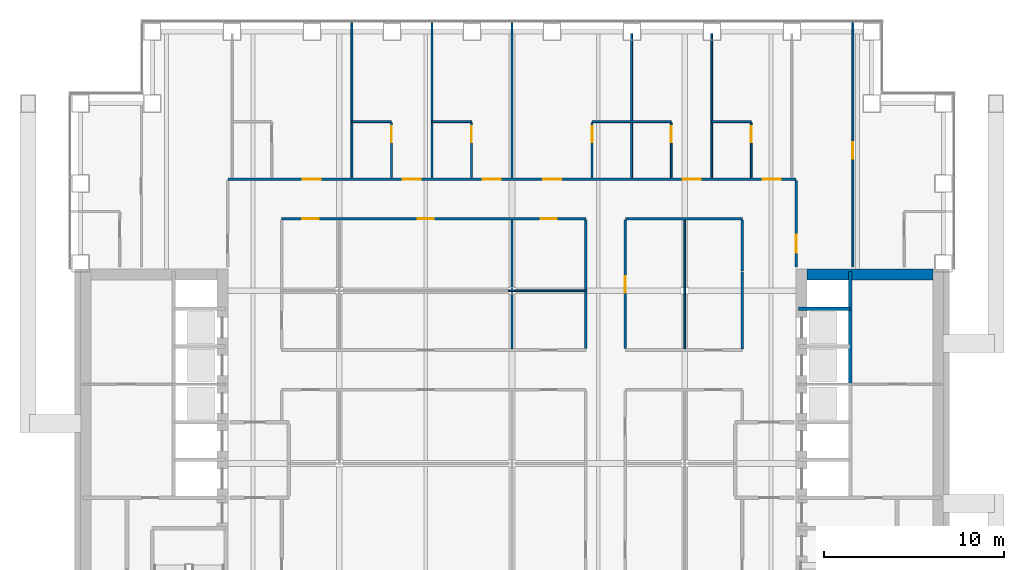
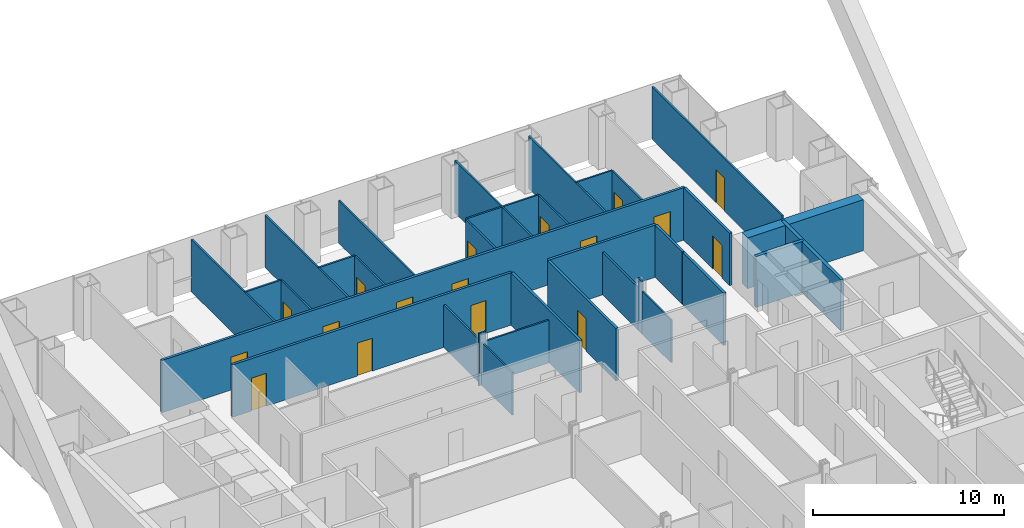
# One storey, part 20 of 23: 34 walls, 17 doors, 17 openings.
"""IFC4 building model written with IfcOpenShell, lengths in metres."""

from ifc_helpers import new_model, si_unit, direction, frame, frame_2d, origin, place, context, subcontext, project, spatial, rectangle, extrude, material, layer, layer_set, type_object, element, fill, save


model = new_model("IFC4")

# Units and contexts
model_context = context("Model", 3, precision=1e-05, world=origin(), true_north=direction((0.0, 1.0)))
body_context = subcontext(model_context, "Body", "Model", "MODEL_VIEW")
ifc_project = project(units=[si_unit("LENGTHUNIT", "METRE"), si_unit("AREAUNIT", "SQUARE_METRE"), si_unit("VOLUMEUNIT", "CUBIC_METRE"), si_unit("PLANEANGLEUNIT", "RADIAN"), si_unit("MASSUNIT", "GRAM", prefix="KILO")], contexts=[model_context])

# Site, building, storey
site_placement = place(None, origin())
site = spatial("IfcSite", under=ifc_project, at=site_placement, CompositionType="ELEMENT")
building_placement = place(site_placement, origin())
building = spatial("IfcBuilding", under=site, at=building_placement, Name="Cobrizo Arcos Hotel Tower", CompositionType="ELEMENT")
storey_placement = place(building_placement, frame((0.0, 0.0, 56.5)))
storey = spatial("IfcBuildingStorey", under=building, at=storey_placement, Name="L12", CompositionType="ELEMENT", Elevation=56.5)

# Wall, openings, doors
ifc_material_1 = material(Name="Gypsum board partition")
ifc_layer_1 = layer(ifc_material_1, 0.14990234375)
ifc_layer_set_1 = layer_set([ifc_layer_1], Name="Corridor wall EI 60 150")
wall_type_1 = type_object("IfcWallType", Name="Corridor wall EI 60 150", PredefinedType="PARTITIONING", material=ifc_layer_set_1)
wall_1_placement = place(storey_placement, frame((-12.800048828125, 13.60009765625, 0.0), z_axis=(0.0, 0.0, 1.0), x_axis=(1.0, 0.0, 0.0)))
wall_1 = element("IfcWall", 1, at=wall_1_placement, inside=storey, type_object=wall_type_1, Name="Partition 054", PredefinedType="PARTITIONING", context=body_context, shape_type="SweptSolid", body=[
    extrude(rectangle(XDim=16.900146484375, YDim=0.14990234375, at=frame_2d((8.4501953125, 0.0))), origin(), (0.0, 0.0, 1.0), 3.35009765625),
])
opening_1_placement = place(wall_1_placement, frame((1.14990234375, 0.0, 0.0)))
opening_1 = element("IfcOpeningElement", 2, at=opening_1_placement, cuts=wall_1, Name="Opening RD-17", PredefinedType="OPENING", context=body_context, shape_type="SweptSolid", body=[
    extrude(rectangle(XDim=0.89990234375, YDim=2.10009765625, at=frame_2d((0.449951171875, 1.050048828125))), frame((0.0, 0.0869140625, 0.0), z_axis=(0.0, -1.0, 0.0), x_axis=(1.0, 0.0, 0.0)), (0.0, 0.0, 1.0), 0.173828125),
])
opening_2_placement = place(wall_1_placement, frame((14.39990234375, 0.0, 0.0)))
opening_2 = element("IfcOpeningElement", 3, at=opening_2_placement, cuts=wall_1, Name="Opening RD-21", PredefinedType="OPENING", context=body_context, shape_type="SweptSolid", body=[
    extrude(rectangle(XDim=0.89990234375, YDim=2.10009765625, at=frame_2d((0.449951171875, 1.050048828125))), frame((0.0, 0.0869140625, 0.0), z_axis=(0.0, -1.0, 0.0), x_axis=(1.0, 0.0, 0.0)), (0.0, 0.0, 1.0), 0.173828125),
])
opening_3_placement = place(wall_1_placement, frame((7.550048828125, 0.0, 0.0)))
opening_3 = element("IfcOpeningElement", 4, at=opening_3_placement, cuts=wall_1, Name="Opening RD-29", PredefinedType="OPENING", context=body_context, shape_type="SweptSolid", body=[
    extrude(rectangle(XDim=0.89990234375, YDim=2.10009765625, at=frame_2d((0.449951171875, 1.050048828125))), frame((0.0, 0.0869140625, 0.0), z_axis=(0.0, -1.0, 0.0), x_axis=(1.0, 0.0, 0.0)), (0.0, 0.0, 1.0), 0.173828125),
])
ifc_material_2 = material(Name="Timber door leaf", Category="wood")
door_type_1 = type_object("IfcDoorType", Name="Room door FD30 900x2100", OperationType="SINGLE_SWING_LEFT", PredefinedType="DOOR", material=ifc_material_2)
door_1_placement = place(opening_1_placement, origin())
door_1 = element("IfcDoor", 5, at=door_1_placement, inside=storey, type_object=door_type_1, Name="Door RD-17", OperationType="SINGLE_SWING_RIGHT", OverallHeight=2.10009765625, OverallWidth=0.89990234375, PredefinedType="DOOR", context=body_context, shape_type="SweptSolid", body=[
    extrude(rectangle(XDim=0.89990234375, YDim=2.10009765625, at=frame_2d((0.449951171875, 1.050048828125))), frame((0.0, 0.02490234375, 0.0), z_axis=(0.0, -1.0, 0.0), x_axis=(1.0, 0.0, 0.0)), (0.0, 0.0, 1.0), 0.050048828125),
])
fill(opening_1, door_1)
door_2_placement = place(opening_2_placement, origin())
door_2 = element("IfcDoor", 6, at=door_2_placement, inside=storey, type_object=door_type_1, Name="Door RD-21", OperationType="SINGLE_SWING_RIGHT", OverallHeight=2.10009765625, OverallWidth=0.89990234375, PredefinedType="DOOR", context=body_context, shape_type="SweptSolid", body=[
    extrude(rectangle(XDim=0.89990234375, YDim=2.10009765625, at=frame_2d((0.449951171875, 1.050048828125))), frame((0.0, 0.02490234375, 0.0), z_axis=(0.0, -1.0, 0.0), x_axis=(1.0, 0.0, 0.0)), (0.0, 0.0, 1.0), 0.050048828125),
])
fill(opening_2, door_2)
door_3_placement = place(opening_3_placement, origin())
door_3 = element("IfcDoor", 7, at=door_3_placement, inside=storey, type_object=door_type_1, Name="Door RD-29", OperationType="SINGLE_SWING_RIGHT", OverallHeight=2.10009765625, OverallWidth=0.89990234375, PredefinedType="DOOR", context=body_context, shape_type="SweptSolid", body=[
    extrude(rectangle(XDim=0.89990234375, YDim=2.10009765625, at=frame_2d((0.449951171875, 1.050048828125))), frame((0.0, 0.02490234375, 0.0), z_axis=(0.0, -1.0, 0.0), x_axis=(1.0, 0.0, 0.0)), (0.0, 0.0, 1.0), 0.050048828125),
])
fill(opening_3, door_3)

# Wall
wall_2_placement = place(storey_placement, frame((6.300048828125, 13.60009765625, 0.0), z_axis=(0.0, 0.0, 1.0), x_axis=(1.0, 0.0, 0.0)))
element("IfcWall", 8, at=wall_2_placement, inside=storey, type_object=wall_type_1, Name="Partition 055", PredefinedType="PARTITIONING", context=body_context, shape_type="SweptSolid", body=[
    extrude(rectangle(XDim=6.5, YDim=0.14990234375, at=frame_2d((3.25, 0.0))), origin(), (0.0, 0.0, 1.0), 3.35009765625),
])

# Wall, openings, doors
wall_3_placement = place(storey_placement, frame((-15.800048828125, 15.800048828125, 0.0), z_axis=(0.0, 0.0, 1.0), x_axis=(1.0, 0.0, 0.0)))
wall_3 = element("IfcWall", 9, at=wall_3_placement, inside=storey, type_object=wall_type_1, Name="Partition 058", PredefinedType="PARTITIONING", context=body_context, shape_type="SweptSolid", body=[
    extrude(rectangle(XDim=31.60009765625, YDim=0.14990234375, at=frame_2d((15.800048828125, 0.0))), origin(), (0.0, 0.0, 1.0), 3.35009765625),
])
opening_4_placement = place(wall_3_placement, frame((4.177978515625, 0.0, 0.0)))
opening_4 = element("IfcOpeningElement", 10, at=opening_4_placement, cuts=wall_3, Name="Opening GD-01", PredefinedType="OPENING", context=body_context, shape_type="SweptSolid", body=[
    extrude(rectangle(XDim=1.0, YDim=2.10009765625, at=frame_2d((0.5, 1.050048828125))), frame((0.0, 0.0869140625, 0.0), z_axis=(0.0, -1.0, 0.0), x_axis=(1.0, 0.0, 0.0)), (0.0, 0.0, 1.0), 0.173828125),
])
opening_5_placement = place(wall_3_placement, frame((9.73388671875, 0.0, 0.0)))
opening_5 = element("IfcOpeningElement", 11, at=opening_5_placement, cuts=wall_3, Name="Opening GD-02", PredefinedType="OPENING", context=body_context, shape_type="SweptSolid", body=[
    extrude(rectangle(XDim=1.0, YDim=2.10009765625, at=frame_2d((0.5, 1.050048828125))), frame((0.0, 0.0869140625, 0.0), z_axis=(0.0, -1.0, 0.0), x_axis=(1.0, 0.0, 0.0)), (0.0, 0.0, 1.0), 0.173828125),
])
opening_6_placement = place(wall_3_placement, frame((14.177978515625, 0.0, 0.0)))
opening_6 = element("IfcOpeningElement", 12, at=opening_6_placement, cuts=wall_3, Name="Opening GD-03", PredefinedType="OPENING", context=body_context, shape_type="SweptSolid", body=[
    extrude(rectangle(XDim=1.0, YDim=2.10009765625, at=frame_2d((0.5, 1.050048828125))), frame((0.0, 0.0869140625, 0.0), z_axis=(0.0, -1.0, 0.0), x_axis=(1.0, 0.0, 0.0)), (0.0, 0.0, 1.0), 0.173828125),
])
opening_7_placement = place(wall_3_placement, frame((17.533935546875, 0.0, 0.0)))
opening_7 = element("IfcOpeningElement", 13, at=opening_7_placement, cuts=wall_3, Name="Opening GD-04", PredefinedType="OPENING", context=body_context, shape_type="SweptSolid", body=[
    extrude(rectangle(XDim=1.0, YDim=2.10009765625, at=frame_2d((0.5, 1.050048828125))), frame((0.0, 0.0869140625, 0.0), z_axis=(0.0, -1.0, 0.0), x_axis=(1.0, 0.0, 0.0)), (0.0, 0.0, 1.0), 0.173828125),
])
opening_8_placement = place(wall_3_placement, frame((25.2890625, 0.0, 0.0)))
opening_8 = element("IfcOpeningElement", 14, at=opening_8_placement, cuts=wall_3, Name="Opening GD-05", PredefinedType="OPENING", context=body_context, shape_type="SweptSolid", body=[
    extrude(rectangle(XDim=1.0, YDim=2.10009765625, at=frame_2d((0.5, 1.050048828125))), frame((0.0, 0.0869140625, 0.0), z_axis=(0.0, -1.0, 0.0), x_axis=(1.0, 0.0, 0.0)), (0.0, 0.0, 1.0), 0.173828125),
])
opening_9_placement = place(wall_3_placement, frame((29.73291015625, 0.0, 0.0)))
opening_9 = element("IfcOpeningElement", 15, at=opening_9_placement, cuts=wall_3, Name="Opening GD-06", PredefinedType="OPENING", context=body_context, shape_type="SweptSolid", body=[
    extrude(rectangle(XDim=1.0, YDim=2.10009765625, at=frame_2d((0.5, 1.050048828125))), frame((0.0, 0.0869140625, 0.0), z_axis=(0.0, -1.0, 0.0), x_axis=(1.0, 0.0, 0.0)), (0.0, 0.0, 1.0), 0.173828125),
])
door_type_2 = type_object("IfcDoorType", Name="Guest room door FD30S 1000x2100", OperationType="SINGLE_SWING_LEFT", PredefinedType="DOOR", material=ifc_material_2)
door_4_placement = place(opening_4_placement, origin())
door_4 = element("IfcDoor", 16, at=door_4_placement, inside=storey, type_object=door_type_2, Name="Door GD-01", OperationType="SINGLE_SWING_LEFT", OverallHeight=2.10009765625, OverallWidth=1.0, PredefinedType="DOOR", context=body_context, shape_type="SweptSolid", body=[
    extrude(rectangle(XDim=1.0, YDim=2.10009765625, at=frame_2d((0.5, 1.050048828125))), frame((0.0, 0.02490234375, 0.0), z_axis=(0.0, -1.0, 0.0), x_axis=(1.0, 0.0, 0.0)), (0.0, 0.0, 1.0), 0.050048828125),
])
fill(opening_4, door_4)
door_5_placement = place(opening_5_placement, origin())
door_5 = element("IfcDoor", 17, at=door_5_placement, inside=storey, type_object=door_type_2, Name="Door GD-02", OperationType="SINGLE_SWING_LEFT", OverallHeight=2.10009765625, OverallWidth=1.0, PredefinedType="DOOR", context=body_context, shape_type="SweptSolid", body=[
    extrude(rectangle(XDim=1.0, YDim=2.10009765625, at=frame_2d((0.5, 1.050048828125))), frame((0.0, 0.02490234375, 0.0), z_axis=(0.0, -1.0, 0.0), x_axis=(1.0, 0.0, 0.0)), (0.0, 0.0, 1.0), 0.050048828125),
])
fill(opening_5, door_5)
door_6_placement = place(opening_6_placement, origin())
door_6 = element("IfcDoor", 18, at=door_6_placement, inside=storey, type_object=door_type_2, Name="Door GD-03", OperationType="SINGLE_SWING_LEFT", OverallHeight=2.10009765625, OverallWidth=1.0, PredefinedType="DOOR", context=body_context, shape_type="SweptSolid", body=[
    extrude(rectangle(XDim=1.0, YDim=2.10009765625, at=frame_2d((0.5, 1.050048828125))), frame((0.0, 0.02490234375, 0.0), z_axis=(0.0, -1.0, 0.0), x_axis=(1.0, 0.0, 0.0)), (0.0, 0.0, 1.0), 0.050048828125),
])
fill(opening_6, door_6)
door_7_placement = place(opening_7_placement, origin())
door_7 = element("IfcDoor", 19, at=door_7_placement, inside=storey, type_object=door_type_2, Name="Door GD-04", OperationType="SINGLE_SWING_RIGHT", OverallHeight=2.10009765625, OverallWidth=1.0, PredefinedType="DOOR", context=body_context, shape_type="SweptSolid", body=[
    extrude(rectangle(XDim=1.0, YDim=2.10009765625, at=frame_2d((0.5, 1.050048828125))), frame((0.0, 0.02490234375, 0.0), z_axis=(0.0, -1.0, 0.0), x_axis=(1.0, 0.0, 0.0)), (0.0, 0.0, 1.0), 0.050048828125),
])
fill(opening_7, door_7)
door_8_placement = place(opening_8_placement, origin())
door_8 = element("IfcDoor", 20, at=door_8_placement, inside=storey, type_object=door_type_2, Name="Door GD-05", OperationType="SINGLE_SWING_LEFT", OverallHeight=2.10009765625, OverallWidth=1.0, PredefinedType="DOOR", context=body_context, shape_type="SweptSolid", body=[
    extrude(rectangle(XDim=1.0, YDim=2.10009765625, at=frame_2d((0.5, 1.050048828125))), frame((0.0, 0.02490234375, 0.0), z_axis=(0.0, -1.0, 0.0), x_axis=(1.0, 0.0, 0.0)), (0.0, 0.0, 1.0), 0.050048828125),
])
fill(opening_8, door_8)
door_9_placement = place(opening_9_placement, origin())
door_9 = element("IfcDoor", 21, at=door_9_placement, inside=storey, type_object=door_type_2, Name="Door GD-06", OperationType="SINGLE_SWING_LEFT", OverallHeight=2.10009765625, OverallWidth=1.0, PredefinedType="DOOR", context=body_context, shape_type="SweptSolid", body=[
    extrude(rectangle(XDim=1.0, YDim=2.10009765625, at=frame_2d((0.5, 1.050048828125))), frame((0.0, 0.02490234375, 0.0), z_axis=(0.0, -1.0, 0.0), x_axis=(1.0, 0.0, 0.0)), (0.0, 0.0, 1.0), 0.050048828125),
])
fill(opening_9, door_9)

# Wall
wall_4_placement = place(storey_placement, frame((4.10009765625, 6.375, 0.0), z_axis=(0.0, 0.0, 1.0), x_axis=(0.0, 1.0, 0.0)))
element("IfcWall", 22, at=wall_4_placement, inside=storey, type_object=wall_type_1, Name="Partition 105", PredefinedType="PARTITIONING", context=body_context, shape_type="SweptSolid", body=[
    extrude(rectangle(XDim=7.14990234375, YDim=0.14990234375, at=frame_2d((3.574951171875, 0.0))), origin(), (0.0, 0.0, 1.0), 3.35009765625),
])

# Wall, opening, door
wall_5_placement = place(storey_placement, frame((6.300048828125, 6.375, 0.0), z_axis=(0.0, 0.0, 1.0), x_axis=(0.0, 1.0, 0.0)))
wall_5 = element("IfcWall", 23, at=wall_5_placement, inside=storey, type_object=wall_type_1, Name="Partition 109", PredefinedType="PARTITIONING", context=body_context, shape_type="SweptSolid", body=[
    extrude(rectangle(XDim=7.14990234375, YDim=0.14990234375, at=frame_2d((3.574951171875, 0.0))), origin(), (0.0, 0.0, 1.0), 3.35009765625),
])
opening_10_placement = place(wall_5_placement, frame((3.125, 0.0, 0.0)))
opening_10 = element("IfcOpeningElement", 24, at=opening_10_placement, cuts=wall_5, Name="Opening RD-24", PredefinedType="OPENING", context=body_context, shape_type="SweptSolid", body=[
    extrude(rectangle(XDim=0.89990234375, YDim=2.10009765625, at=frame_2d((0.449951171875, 1.050048828125))), frame((0.0, 0.0869140625, 0.0), z_axis=(0.0, -1.0, 0.0), x_axis=(1.0, 0.0, 0.0)), (0.0, 0.0, 1.0), 0.173828125),
])
door_10_placement = place(opening_10_placement, origin())
door_10 = element("IfcDoor", 25, at=door_10_placement, inside=storey, type_object=door_type_1, Name="Door RD-24", OperationType="SINGLE_SWING_RIGHT", OverallHeight=2.10009765625, OverallWidth=0.89990234375, PredefinedType="DOOR", context=body_context, shape_type="SweptSolid", body=[
    extrude(rectangle(XDim=0.89990234375, YDim=2.10009765625, at=frame_2d((0.449951171875, 1.050048828125))), frame((0.0, 0.02490234375, 0.0), z_axis=(0.0, -1.0, 0.0), x_axis=(1.0, 0.0, 0.0)), (0.0, 0.0, 1.0), 0.050048828125),
])
fill(opening_10, door_10)

# Walls
wall_6_placement = place(storey_placement, frame((12.800048828125, 6.35009765625, 0.0), z_axis=(0.0, 0.0, 1.0), x_axis=(0.0, 1.0, 0.0)))
element("IfcWall", 26, at=wall_6_placement, inside=storey, type_object=wall_type_1, Name="Partition 124", PredefinedType="PARTITIONING", context=body_context, shape_type="SweptSolid", body=[
    extrude(rectangle(XDim=4.2998046875, YDim=0.14990234375, at=frame_2d((2.14990234375, 0.0))), origin(), (0.0, 0.0, 1.0), 3.35009765625),
])
wall_7_placement = place(storey_placement, frame((12.800048828125, 10.699951171875, 0.0), z_axis=(0.0, 0.0, 1.0), x_axis=(0.0, 1.0, 0.0)))
element("IfcWall", 27, at=wall_7_placement, inside=storey, type_object=wall_type_1, Name="Partition 125", PredefinedType="PARTITIONING", context=body_context, shape_type="SweptSolid", body=[
    extrude(rectangle(XDim=2.824951171875, YDim=0.14990234375, at=frame_2d((1.41259765625, 0.0))), origin(), (0.0, 0.0, 1.0), 3.35009765625),
])

# Wall, opening, door
wall_8_placement = place(storey_placement, frame((15.800048828125, 10.919921875, 0.0), z_axis=(0.0, 0.0, 1.0), x_axis=(0.0, 1.0, 0.0)))
wall_8 = element("IfcWall", 28, at=wall_8_placement, inside=storey, type_object=wall_type_1, Name="Partition 131", PredefinedType="PARTITIONING", context=body_context, shape_type="SweptSolid", body=[
    extrude(rectangle(XDim=4.80517578125, YDim=0.14990234375, at=frame_2d((2.402587890625, 0.0))), origin(), (0.0, 0.0, 1.0), 3.35009765625),
])
opening_11_placement = place(wall_8_placement, frame((0.780029296875, 0.0, 0.0)))
opening_11 = element("IfcOpeningElement", 29, at=opening_11_placement, cuts=wall_8, Name="Opening GD-15", PredefinedType="OPENING", context=body_context, shape_type="SweptSolid", body=[
    extrude(rectangle(XDim=1.0, YDim=2.10009765625, at=frame_2d((0.5, 1.050048828125))), frame((0.0, 0.0869140625, 0.0), z_axis=(0.0, -1.0, 0.0), x_axis=(1.0, 0.0, 0.0)), (0.0, 0.0, 1.0), 0.173828125),
])
door_11_placement = place(opening_11_placement, origin())
door_11 = element("IfcDoor", 30, at=door_11_placement, inside=storey, type_object=door_type_2, Name="Door GD-15", OperationType="SINGLE_SWING_LEFT", OverallHeight=2.10009765625, OverallWidth=1.0, PredefinedType="DOOR", context=body_context, shape_type="SweptSolid", body=[
    extrude(rectangle(XDim=1.0, YDim=2.10009765625, at=frame_2d((0.5, 1.050048828125))), frame((0.0, 0.02490234375, 0.0), z_axis=(0.0, -1.0, 0.0), x_axis=(1.0, 0.0, 0.0)), (0.0, 0.0, 1.0), 0.050048828125),
])
fill(opening_11, door_11)

# Walls
ifc_layer_2 = layer(ifc_material_1, 0.10009765625)
ifc_layer_set_2 = layer_set([ifc_layer_2], Name="Partition EI 30 100")
wall_type_2 = type_object("IfcWallType", Name="Partition EI 30 100", PredefinedType="PARTITIONING", material=ifc_layer_set_2)
wall_9_placement = place(storey_placement, frame((-0.2041015625, 9.60009765625, 0.0), z_axis=(0.0, 0.0, 1.0), x_axis=(1.0, 0.0, 0.0)))
element("IfcWall", 31, at=wall_9_placement, inside=storey, type_object=wall_type_2, Name="Partition 052", PredefinedType="PARTITIONING", context=body_context, shape_type="SweptSolid", body=[
    extrude(rectangle(XDim=0.408203125, YDim=0.10009765625, at=frame_2d((0.2041015625, 0.0))), origin(), (0.0, 0.0, 1.0), 3.35009765625),
])
wall_10_placement = place(storey_placement, frame((0.2041015625, 9.60009765625, 0.0), z_axis=(0.0, 0.0, 1.0), x_axis=(1.0, 0.0, 0.0)))
element("IfcWall", 32, at=wall_10_placement, inside=storey, type_object=wall_type_2, Name="Partition 053", PredefinedType="PARTITIONING", context=body_context, shape_type="SweptSolid", body=[
    extrude(rectangle(XDim=3.89599609375, YDim=0.10009765625, at=frame_2d((1.947998046875, 0.0))), origin(), (0.0, 0.0, 1.0), 2.72802734375),
])
for number, where, z_axis, x_axis, name in (
    (33, (-8.89990234375, 19.0, 0.0), (0.0, 0.0, 1.0), (1.0, 0.0, 0.0), "Partition 060"),
    (34, (-4.449951171875, 19.0, 0.0), (0.0, 0.0, 1.0), (1.0, 0.0, 0.0), "Partition 061"),
):
    element("IfcWall", number, at=place(storey_placement, frame(where, z_axis=z_axis, x_axis=x_axis)), inside=storey, type_object=wall_type_2, Name=name, PredefinedType="PARTITIONING", context=body_context, shape_type="SweptSolid", body=[
        extrude(rectangle(XDim=2.199951171875, YDim=0.10009765625, at=frame_2d((1.10009765625, 0.0))), origin(), (0.0, 0.0, 1.0), 3.35009765625),
    ])
wall_11_placement = place(storey_placement, frame((4.449951171875, 19.0, 0.0), z_axis=(0.0, 0.0, 1.0), x_axis=(1.0, 0.0, 0.0)))
element("IfcWall", 35, at=wall_11_placement, inside=storey, type_object=wall_type_2, Name="Partition 062", PredefinedType="PARTITIONING", context=body_context, shape_type="SweptSolid", body=[
    extrude(rectangle(XDim=4.400146484375, YDim=0.10009765625, at=frame_2d((2.2001953125, 0.0))), origin(), (0.0, 0.0, 1.0), 3.35009765625),
])
wall_12_placement = place(storey_placement, frame((11.10009765625, 19.0, 0.0), z_axis=(0.0, 0.0, 1.0), x_axis=(1.0, 0.0, 0.0)))
element("IfcWall", 36, at=wall_12_placement, inside=storey, type_object=wall_type_2, Name="Partition 063", PredefinedType="PARTITIONING", context=body_context, shape_type="SweptSolid", body=[
    extrude(rectangle(XDim=2.199951171875, YDim=0.10009765625, at=frame_2d((1.10009765625, 0.0))), origin(), (0.0, 0.0, 1.0), 3.35009765625),
])
wall_13_placement = place(storey_placement, frame((-8.89990234375, 15.875, 0.0), z_axis=(0.0, 0.0, 1.0), x_axis=(0.0, 1.0, 0.0)))
element("IfcWall", 37, at=wall_13_placement, inside=storey, type_object=wall_type_2, Name="Partition 088", PredefinedType="PARTITIONING", context=body_context, shape_type="SweptSolid", body=[
    extrude(rectangle(XDim=8.655029296875, YDim=0.10009765625, at=frame_2d((4.32763671875, 0.0))), origin(), (0.0, 0.0, 1.0), 3.35009765625),
])

# Wall, opening, door
wall_14_placement = place(storey_placement, frame((-6.699951171875, 15.875, 0.0), z_axis=(0.0, 0.0, 1.0), x_axis=(0.0, 1.0, 0.0)))
wall_14 = element("IfcWall", 38, at=wall_14_placement, inside=storey, type_object=wall_type_2, Name="Partition 090", PredefinedType="PARTITIONING", context=body_context, shape_type="SweptSolid", body=[
    extrude(rectangle(XDim=3.074951171875, YDim=0.10009765625, at=frame_2d((1.53759765625, 0.0))), origin(), (0.0, 0.0, 1.0), 3.35009765625),
])
opening_12_placement = place(wall_14_placement, frame((1.970947265625, 0.0, 0.0)))
opening_12 = element("IfcOpeningElement", 39, at=opening_12_placement, cuts=wall_14, Name="Opening ED-02", PredefinedType="OPENING", context=body_context, shape_type="SweptSolid", body=[
    extrude(rectangle(XDim=0.89990234375, YDim=2.10009765625, at=frame_2d((0.449951171875, 1.050048828125))), frame((0.0, 0.06201171875, 0.0), z_axis=(0.0, -1.0, 0.0), x_axis=(1.0, 0.0, 0.0)), (0.0, 0.0, 1.0), 0.1240234375),
])
door_type_3 = type_object("IfcDoorType", Name="En-suite door 900x2100", OperationType="SINGLE_SWING_LEFT", PredefinedType="DOOR", material=ifc_material_2)
door_12_placement = place(opening_12_placement, origin())
door_12 = element("IfcDoor", 40, at=door_12_placement, inside=storey, type_object=door_type_3, Name="Door ED-02", OperationType="SINGLE_SWING_LEFT", OverallHeight=2.10009765625, OverallWidth=0.89990234375, PredefinedType="DOOR", context=body_context, shape_type="SweptSolid", body=[
    extrude(rectangle(XDim=0.89990234375, YDim=2.10009765625, at=frame_2d((0.449951171875, 1.050048828125))), frame((0.0, 0.02490234375, 0.0), z_axis=(0.0, -1.0, 0.0), x_axis=(1.0, 0.0, 0.0)), (0.0, 0.0, 1.0), 0.050048828125),
])
fill(opening_12, door_12)

# Wall
wall_15_placement = place(storey_placement, frame((-4.449951171875, 15.875, 0.0), z_axis=(0.0, 0.0, 1.0), x_axis=(0.0, 1.0, 0.0)))
element("IfcWall", 41, at=wall_15_placement, inside=storey, type_object=wall_type_2, Name="Partition 092", PredefinedType="PARTITIONING", context=body_context, shape_type="SweptSolid", body=[
    extrude(rectangle(XDim=8.655029296875, YDim=0.10009765625, at=frame_2d((4.32763671875, 0.0))), origin(), (0.0, 0.0, 1.0), 3.35009765625),
])

# Wall, opening, door
wall_16_placement = place(storey_placement, frame((-2.25, 15.875, 0.0), z_axis=(0.0, 0.0, 1.0), x_axis=(0.0, 1.0, 0.0)))
wall_16 = element("IfcWall", 42, at=wall_16_placement, inside=storey, type_object=wall_type_2, Name="Partition 094", PredefinedType="PARTITIONING", context=body_context, shape_type="SweptSolid", body=[
    extrude(rectangle(XDim=3.074951171875, YDim=0.10009765625, at=frame_2d((1.53759765625, 0.0))), origin(), (0.0, 0.0, 1.0), 3.35009765625),
])
opening_13_placement = place(wall_16_placement, frame((1.970947265625, 0.0, 0.0)))
opening_13 = element("IfcOpeningElement", 43, at=opening_13_placement, cuts=wall_16, Name="Opening ED-03", PredefinedType="OPENING", context=body_context, shape_type="SweptSolid", body=[
    extrude(rectangle(XDim=0.89990234375, YDim=2.10009765625, at=frame_2d((0.449951171875, 1.050048828125))), frame((0.0, 0.06201171875, 0.0), z_axis=(0.0, -1.0, 0.0), x_axis=(1.0, 0.0, 0.0)), (0.0, 0.0, 1.0), 0.1240234375),
])
door_13_placement = place(opening_13_placement, origin())
door_13 = element("IfcDoor", 44, at=door_13_placement, inside=storey, type_object=door_type_3, Name="Door ED-03", OperationType="SINGLE_SWING_LEFT", OverallHeight=2.10009765625, OverallWidth=0.89990234375, PredefinedType="DOOR", context=body_context, shape_type="SweptSolid", body=[
    extrude(rectangle(XDim=0.89990234375, YDim=2.10009765625, at=frame_2d((0.449951171875, 1.050048828125))), frame((0.0, 0.02490234375, 0.0), z_axis=(0.0, -1.0, 0.0), x_axis=(1.0, 0.0, 0.0)), (0.0, 0.0, 1.0), 0.050048828125),
])
fill(opening_13, door_13)

# Walls
wall_17_placement = place(storey_placement, frame((0.0, 6.375, 0.0), z_axis=(0.0, 0.0, 1.0), x_axis=(0.0, 1.0, 0.0)))
element("IfcWall", 45, at=wall_17_placement, inside=storey, type_object=wall_type_2, Name="Partition 099", PredefinedType="PARTITIONING", context=body_context, shape_type="SweptSolid", body=[
    extrude(rectangle(XDim=3.175048828125, YDim=0.10009765625, at=frame_2d((1.58740234375, 0.0))), origin(), (0.0, 0.0, 1.0), 2.72802734375),
])
wall_18_placement = place(storey_placement, frame((0.0, 9.64990234375, 0.0), z_axis=(0.0, 0.0, 1.0), x_axis=(0.0, 1.0, 0.0)))
element("IfcWall", 46, at=wall_18_placement, inside=storey, type_object=wall_type_2, Name="Partition 100", PredefinedType="PARTITIONING", context=body_context, shape_type="SweptSolid", body=[
    extrude(rectangle(XDim=3.875, YDim=0.10009765625, at=frame_2d((1.9375, 0.0))), origin(), (0.0, 0.0, 1.0), 2.72802734375),
])
wall_19_placement = place(storey_placement, frame((0.0, 15.875, 0.0), z_axis=(0.0, 0.0, 1.0), x_axis=(0.0, 1.0, 0.0)))
element("IfcWall", 47, at=wall_19_placement, inside=storey, type_object=wall_type_2, Name="Partition 101", PredefinedType="PARTITIONING", context=body_context, shape_type="SweptSolid", body=[
    extrude(rectangle(XDim=8.655029296875, YDim=0.10009765625, at=frame_2d((4.32763671875, 0.0))), origin(), (0.0, 0.0, 1.0), 2.72802734375),
])

# Wall, opening, door
wall_20_placement = place(storey_placement, frame((4.449951171875, 15.875, 0.0), z_axis=(0.0, 0.0, 1.0), x_axis=(0.0, 1.0, 0.0)))
wall_20 = element("IfcWall", 48, at=wall_20_placement, inside=storey, type_object=wall_type_2, Name="Partition 107", PredefinedType="PARTITIONING", context=body_context, shape_type="SweptSolid", body=[
    extrude(rectangle(XDim=3.074951171875, YDim=0.10009765625, at=frame_2d((1.53759765625, 0.0))), origin(), (0.0, 0.0, 1.0), 3.35009765625),
])
opening_14_placement = place(wall_20_placement, frame((1.970947265625, 0.0, 0.0)))
opening_14 = element("IfcOpeningElement", 49, at=opening_14_placement, cuts=wall_20, Name="Opening ED-04", PredefinedType="OPENING", context=body_context, shape_type="SweptSolid", body=[
    extrude(rectangle(XDim=0.89990234375, YDim=2.10009765625, at=frame_2d((0.449951171875, 1.050048828125))), frame((0.0, 0.06201171875, 0.0), z_axis=(0.0, -1.0, 0.0), x_axis=(1.0, 0.0, 0.0)), (0.0, 0.0, 1.0), 0.1240234375),
])
door_14_placement = place(opening_14_placement, origin())
door_14 = element("IfcDoor", 50, at=door_14_placement, inside=storey, type_object=door_type_3, Name="Door ED-04", OperationType="SINGLE_SWING_RIGHT", OverallHeight=2.10009765625, OverallWidth=0.89990234375, PredefinedType="DOOR", context=body_context, shape_type="SweptSolid", body=[
    extrude(rectangle(XDim=0.89990234375, YDim=2.10009765625, at=frame_2d((0.449951171875, 1.050048828125))), frame((0.0, 0.02490234375, 0.0), z_axis=(0.0, -1.0, 0.0), x_axis=(1.0, 0.0, 0.0)), (0.0, 0.0, 1.0), 0.050048828125),
])
fill(opening_14, door_14)

# Walls
wall_21_placement = place(storey_placement, frame((6.64990234375, 15.875, 0.0), z_axis=(0.0, 0.0, 1.0), x_axis=(0.0, 1.0, 0.0)))
element("IfcWall", 51, at=wall_21_placement, inside=storey, type_object=wall_type_2, Name="Partition 110", PredefinedType="PARTITIONING", context=body_context, shape_type="SweptSolid", body=[
    extrude(rectangle(XDim=3.074951171875, YDim=0.10009765625, at=frame_2d((1.53759765625, 0.0))), origin(), (0.0, 0.0, 1.0), 3.35009765625),
])
wall_22_placement = place(storey_placement, frame((6.64990234375, 19.050048828125, 0.0), z_axis=(0.0, 0.0, 1.0), x_axis=(0.0, 1.0, 0.0)))
element("IfcWall", 52, at=wall_22_placement, inside=storey, type_object=wall_type_2, Name="Partition 111", PredefinedType="PARTITIONING", context=body_context, shape_type="SweptSolid", body=[
    extrude(rectangle(XDim=4.829833984375, YDim=0.10009765625, at=frame_2d((2.4150390625, 0.0))), origin(), (0.0, 0.0, 1.0), 3.35009765625),
])

# Wall, opening, door
wall_23_placement = place(storey_placement, frame((8.85009765625, 15.875, 0.0), z_axis=(0.0, 0.0, 1.0), x_axis=(0.0, 1.0, 0.0)))
wall_23 = element("IfcWall", 53, at=wall_23_placement, inside=storey, type_object=wall_type_2, Name="Partition 112", PredefinedType="PARTITIONING", context=body_context, shape_type="SweptSolid", body=[
    extrude(rectangle(XDim=3.074951171875, YDim=0.10009765625, at=frame_2d((1.53759765625, 0.0))), origin(), (0.0, 0.0, 1.0), 3.35009765625),
])
opening_15_placement = place(wall_23_placement, frame((1.970947265625, 0.0, 0.0)))
opening_15 = element("IfcOpeningElement", 54, at=opening_15_placement, cuts=wall_23, Name="Opening ED-05", PredefinedType="OPENING", context=body_context, shape_type="SweptSolid", body=[
    extrude(rectangle(XDim=0.89990234375, YDim=2.10009765625, at=frame_2d((0.449951171875, 1.050048828125))), frame((0.0, 0.06201171875, 0.0), z_axis=(0.0, -1.0, 0.0), x_axis=(1.0, 0.0, 0.0)), (0.0, 0.0, 1.0), 0.1240234375),
])
door_15_placement = place(opening_15_placement, origin())
door_15 = element("IfcDoor", 55, at=door_15_placement, inside=storey, type_object=door_type_3, Name="Door ED-05", OperationType="SINGLE_SWING_RIGHT", OverallHeight=2.10009765625, OverallWidth=0.89990234375, PredefinedType="DOOR", context=body_context, shape_type="SweptSolid", body=[
    extrude(rectangle(XDim=0.89990234375, YDim=2.10009765625, at=frame_2d((0.449951171875, 1.050048828125))), frame((0.0, 0.02490234375, 0.0), z_axis=(0.0, -1.0, 0.0), x_axis=(1.0, 0.0, 0.0)), (0.0, 0.0, 1.0), 0.050048828125),
])
fill(opening_15, door_15)

# Walls
wall_24_placement = place(storey_placement, frame((9.60009765625, 6.375, 0.0), z_axis=(0.0, 0.0, 1.0), x_axis=(0.0, 1.0, 0.0)))
element("IfcWall", 56, at=wall_24_placement, inside=storey, type_object=wall_type_2, Name="Partition 117", PredefinedType="PARTITIONING", context=body_context, shape_type="SweptSolid", body=[
    extrude(rectangle(XDim=3.02099609375, YDim=0.10009765625, at=frame_2d((1.510498046875, 0.0))), origin(), (0.0, 0.0, 1.0), 2.72802734375),
])
wall_25_placement = place(storey_placement, frame((9.60009765625, 9.39599609375, 0.0), z_axis=(0.0, 0.0, 1.0), x_axis=(0.0, 1.0, 0.0)))
element("IfcWall", 57, at=wall_25_placement, inside=storey, type_object=wall_type_2, Name="Partition 118", PredefinedType="PARTITIONING", context=body_context, shape_type="SweptSolid", body=[
    extrude(rectangle(XDim=0.407958984375, YDim=0.10009765625, at=frame_2d((0.2041015625, 0.0))), origin(), (0.0, 0.0, 1.0), 3.35009765625),
])
wall_26_placement = place(storey_placement, frame((9.60009765625, 9.803955078125, 0.0), z_axis=(0.0, 0.0, 1.0), x_axis=(0.0, 1.0, 0.0)))
element("IfcWall", 58, at=wall_26_placement, inside=storey, type_object=wall_type_2, Name="Partition 119", PredefinedType="PARTITIONING", context=body_context, shape_type="SweptSolid", body=[
    extrude(rectangle(XDim=3.720947265625, YDim=0.10009765625, at=frame_2d((1.8603515625, 0.0))), origin(), (0.0, 0.0, 1.0), 2.72802734375),
])
wall_27_placement = place(storey_placement, frame((11.10009765625, 15.875, 0.0), z_axis=(0.0, 0.0, 1.0), x_axis=(0.0, 1.0, 0.0)))
element("IfcWall", 59, at=wall_27_placement, inside=storey, type_object=wall_type_2, Name="Partition 120", PredefinedType="PARTITIONING", context=body_context, shape_type="SweptSolid", body=[
    extrude(rectangle(XDim=8.0048828125, YDim=0.10009765625, at=frame_2d((4.00244140625, 0.0))), origin(), (0.0, 0.0, 1.0), 3.35009765625),
])

# Wall, opening, door
wall_28_placement = place(storey_placement, frame((13.300048828125, 15.875, 0.0), z_axis=(0.0, 0.0, 1.0), x_axis=(0.0, 1.0, 0.0)))
wall_28 = element("IfcWall", 60, at=wall_28_placement, inside=storey, type_object=wall_type_2, Name="Partition 126", PredefinedType="PARTITIONING", context=body_context, shape_type="SweptSolid", body=[
    extrude(rectangle(XDim=3.074951171875, YDim=0.10009765625, at=frame_2d((1.53759765625, 0.0))), origin(), (0.0, 0.0, 1.0), 3.35009765625),
])
opening_16_placement = place(wall_28_placement, frame((1.970947265625, 0.0, 0.0)))
opening_16 = element("IfcOpeningElement", 61, at=opening_16_placement, cuts=wall_28, Name="Opening ED-06", PredefinedType="OPENING", context=body_context, shape_type="SweptSolid", body=[
    extrude(rectangle(XDim=0.89990234375, YDim=2.10009765625, at=frame_2d((0.449951171875, 1.050048828125))), frame((0.0, 0.06201171875, 0.0), z_axis=(0.0, -1.0, 0.0), x_axis=(1.0, 0.0, 0.0)), (0.0, 0.0, 1.0), 0.1240234375),
])
door_16_placement = place(opening_16_placement, origin())
door_16 = element("IfcDoor", 62, at=door_16_placement, inside=storey, type_object=door_type_3, Name="Door ED-06", OperationType="SINGLE_SWING_RIGHT", OverallHeight=2.10009765625, OverallWidth=0.89990234375, PredefinedType="DOOR", context=body_context, shape_type="SweptSolid", body=[
    extrude(rectangle(XDim=0.89990234375, YDim=2.10009765625, at=frame_2d((0.449951171875, 1.050048828125))), frame((0.0, 0.02490234375, 0.0), z_axis=(0.0, -1.0, 0.0), x_axis=(1.0, 0.0, 0.0)), (0.0, 0.0, 1.0), 0.050048828125),
])
fill(opening_16, door_16)

wall_29_placement = place(storey_placement, frame((18.949951171875, 10.919921875, 0.0), z_axis=(0.0, 0.0, 1.0), x_axis=(0.0, 1.0, 0.0)))
wall_29 = element("IfcWall", 63, at=wall_29_placement, inside=storey, type_object=wall_type_2, Name="Partition 135", PredefinedType="PARTITIONING", context=body_context, shape_type="SweptSolid", body=[
    extrude(rectangle(XDim=13.610107421875, YDim=0.10009765625, at=frame_2d((6.80517578125, 0.0))), origin(), (0.0, 0.0, 1.0), 3.35009765625),
])
opening_17_placement = place(wall_29_placement, frame((6.030029296875, 0.0, 0.0)))
opening_17 = element("IfcOpeningElement", 64, at=opening_17_placement, cuts=wall_29, Name="Opening RD-11", PredefinedType="OPENING", context=body_context, shape_type="SweptSolid", body=[
    extrude(rectangle(XDim=0.89990234375, YDim=2.10009765625, at=frame_2d((0.449951171875, 1.050048828125))), frame((0.0, 0.06201171875, 0.0), z_axis=(0.0, -1.0, 0.0), x_axis=(1.0, 0.0, 0.0)), (0.0, 0.0, 1.0), 0.1240234375),
])
door_17_placement = place(opening_17_placement, origin())
door_17 = element("IfcDoor", 65, at=door_17_placement, inside=storey, type_object=door_type_1, Name="Door RD-11", OperationType="SINGLE_SWING_RIGHT", OverallHeight=2.10009765625, OverallWidth=0.89990234375, PredefinedType="DOOR", context=body_context, shape_type="SweptSolid", body=[
    extrude(rectangle(XDim=0.89990234375, YDim=2.10009765625, at=frame_2d((0.449951171875, 1.050048828125))), frame((0.0, 0.02490234375, 0.0), z_axis=(0.0, -1.0, 0.0), x_axis=(1.0, 0.0, 0.0)), (0.0, 0.0, 1.0), 0.050048828125),
])
fill(opening_17, door_17)

# Walls
ifc_material_3 = material(Name="Concrete f'c 60 MPa", Category="concrete")
ifc_layer_3 = layer(ifc_material_3, 0.60009765625)
ifc_layer_set_3 = layer_set([ifc_layer_3], Name="RC core wall 600 f'c 60")
wall_type_3 = type_object("IfcWallType", Name="RC core wall 600 f'c 60", PredefinedType="SHEAR", material=ifc_layer_set_3)
wall_30_placement = place(storey_placement, frame((16.39990234375, 10.5, 0.0), z_axis=(0.0, 0.0, 1.0), x_axis=(1.0, 0.0, 0.0)))
element("IfcWall", 66, at=wall_30_placement, inside=storey, type_object=wall_type_3, Name="Core wall CW1, east core, north end, L12", PredefinedType="SHEAR", context=body_context, shape_type="SweptSolid", body=[
    extrude(rectangle(XDim=7.0, YDim=0.60009765625, at=frame_2d((3.5, 0.0))), origin(), (0.0, 0.0, 1.0), 3.25),
])
ifc_layer_4 = layer(ifc_material_1, 0.199951171875)
ifc_layer_set_4 = layer_set([ifc_layer_4], Name="Shaft wall EI 120 200")
wall_type_4 = type_object("IfcWallType", Name="Shaft wall EI 120 200", PredefinedType="PARTITIONING", material=ifc_layer_set_4)
wall_31_placement = place(storey_placement, frame((15.919921875, 8.60009765625, 0.0), z_axis=(0.0, 0.0, 1.0), x_axis=(1.0, 0.0, 0.0)))
element("IfcWall", 67, at=wall_31_placement, inside=storey, type_object=wall_type_4, Name="Partition 048", PredefinedType="PARTITIONING", context=body_context, shape_type="SweptSolid", body=[
    extrude(rectangle(XDim=2.880126953125, YDim=0.199951171875, at=frame_2d((1.43994140625, 0.0))), origin(), (0.0, 0.0, 1.0), 3.25),
])
wall_32_placement = place(storey_placement, frame((18.800048828125, 4.449951171875, 0.0), z_axis=(0.0, 0.0, 1.0), x_axis=(0.0, 1.0, 0.0)))
element("IfcWall", 68, at=wall_32_placement, inside=storey, type_object=wall_type_4, Name="Partition 134", PredefinedType="PARTITIONING", context=body_context, shape_type="SweptSolid", body=[
    extrude(rectangle(XDim=6.22998046875, YDim=0.199951171875, at=frame_2d((3.114990234375, 0.0))), origin(), (0.0, 0.0, 1.0), 3.25),
])

save(model, "model.ifc")
